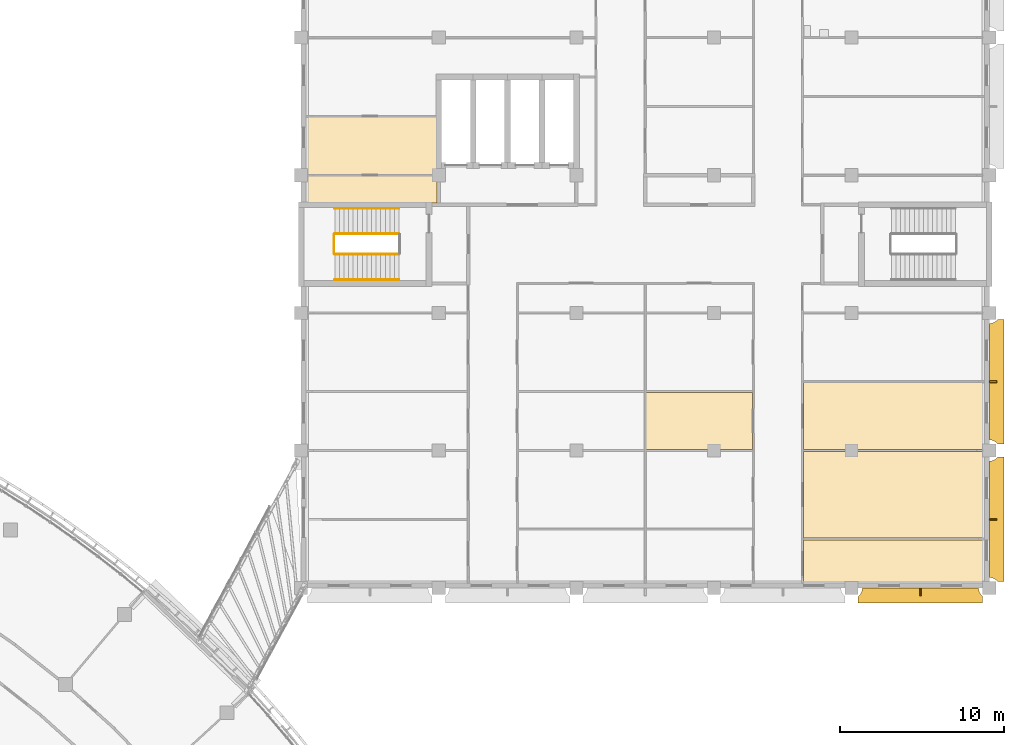
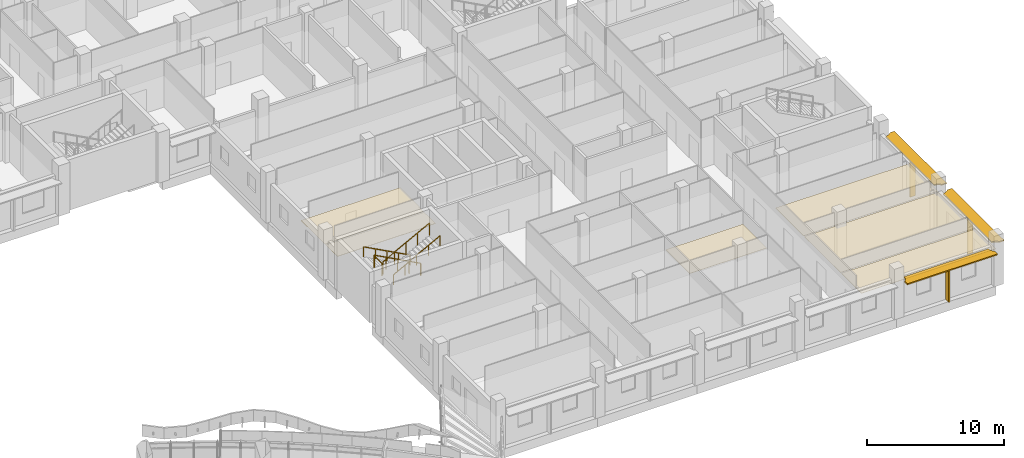
# One storey, part 128 of 136: 6 coverings, 6 shading devices, 5 railings.
"""IFC4 building model written with IfcOpenShell, lengths in metres."""

from ifc_helpers import new_model, si_unit, direction, frame, origin, origin_2d, place, context, subcontext, project, spatial, polyline, rectangle, circle, outline, extrude, material, layer, layer_set, material_profile, profile_set, type_object, element, save


model = new_model("IFC4")

# Units and contexts
model_context = context("Model", 3, precision=1e-05, world=origin(), true_north=direction((0.0, 1.0)))
body_context = subcontext(model_context, "Body", "Model", "MODEL_VIEW")
ifc_project = project(units=[si_unit("LENGTHUNIT", "METRE"), si_unit("AREAUNIT", "SQUARE_METRE"), si_unit("VOLUMEUNIT", "CUBIC_METRE"), si_unit("PLANEANGLEUNIT", "RADIAN"), si_unit("MASSUNIT", "GRAM", prefix="KILO")], contexts=[model_context])

# Site, building, storey
site_placement = place(None, origin())
site = spatial("IfcSite", under=ifc_project, at=site_placement, CompositionType="ELEMENT")
building_placement = place(site_placement, origin())
building = spatial("IfcBuilding", under=site, at=building_placement, Name="Bougainvillea Quay General Hospital", CompositionType="ELEMENT")
storey_placement = place(building_placement, frame((0.0, 0.0, 5.39990234375)))
storey = spatial("IfcBuildingStorey", under=building, at=storey_placement, Name="L01", CompositionType="ELEMENT", Elevation=5.39990234375)

# Railings
ifc_material_1 = material(Name="Stainless steel 304 balustrade", Category="steel")
railing_type_1 = type_object("IfcRailingType", Name="Stair guard 1100", PredefinedType="GUARDRAIL", material=ifc_material_1)
railing_1_placement = place(storey_placement, frame((169.77490234375, 97.22509765625, 0.150146484375)))
element("IfcRailing", 1, at=railing_1_placement, inside=storey, type_object=railing_type_1, Name="L01 ST-T1 stair guard 1", PredefinedType="GUARDRAIL", context=body_context, shape_type="SweptSolid", body=[
    extrude(circle(Radius=0.02392578125, at=origin_2d()), frame((0.0, 0.0, 1.076171875), z_axis=(-0.881489763865, 0.0, 0.472203130232), x_axis=(0.0, -1.0, 0.0)), (0.0, 0.0, 1.0), 4.447021484375),
    extrude(circle(Radius=0.02099609375, at=origin_2d()), origin(), (0.0, 0.0, 1.0), 1.052001953125),
    extrude(circle(Radius=0.02099609375, at=origin_2d()), frame((-0.97998046875, 0.0, 0.52490234375)), (0.0, 0.0, 1.0), 1.052001953125),
    extrude(circle(Radius=0.02099609375, at=origin_2d()), frame((-1.9599609375, 0.0, 1.0498046875)), (0.0, 0.0, 1.0), 1.052001953125),
    extrude(circle(Radius=0.02099609375, at=origin_2d()), frame((-2.93994140625, 0.0, 1.574951171875)), (0.0, 0.0, 1.0), 1.052001953125),
    extrude(circle(Radius=0.02099609375, at=origin_2d()), frame((-3.919921875, 0.0, 2.099853515625)), (0.0, 0.0, 1.0), 1.052001953125),
])
railing_2_placement = place(storey_placement, frame((165.804931640625, 97.175048828125, 2.25)))
element("IfcRailing", 2, at=railing_2_placement, inside=storey, type_object=railing_type_1, Name="L01 ST-T1 stair guard 2", PredefinedType="GUARDRAIL", context=body_context, shape_type="SweptSolid", body=[
    extrude(circle(Radius=0.02392578125, at=origin_2d()), frame((0.0, 0.0, 1.076171875), z_axis=(0.0, -1.0, 0.0), x_axis=(1.0, 0.0, 0.0)), (0.0, 0.0, 1.0), 1.150146484375),
    extrude(circle(Radius=0.02099609375, at=origin_2d()), origin(), (0.0, 0.0, 1.0), 1.052001953125),
    extrude(circle(Radius=0.02099609375, at=origin_2d()), frame((0.0, -1.150146484375, 0.0)), (0.0, 0.0, 1.0), 1.052001953125),
])
railing_3_placement = place(storey_placement, frame((165.85498046875, 95.97509765625, 2.400146484375)))
element("IfcRailing", 3, at=railing_3_placement, inside=storey, type_object=railing_type_1, Name="L01 ST-T1 stair guard 3", PredefinedType="GUARDRAIL", context=body_context, shape_type="SweptSolid", body=[
    extrude(circle(Radius=0.02392578125, at=origin_2d()), frame((0.0, 0.0, 1.076171875), z_axis=(0.881489763865, 0.0, 0.472203130232), x_axis=(0.0, 1.0, 0.0)), (0.0, 0.0, 1.0), 4.447021484375),
    extrude(circle(Radius=0.02099609375, at=origin_2d()), origin(), (0.0, 0.0, 1.0), 1.052001953125),
    extrude(circle(Radius=0.02099609375, at=origin_2d()), frame((0.97998046875, 0.0, 0.52490234375)), (0.0, 0.0, 1.0), 1.052001953125),
    extrude(circle(Radius=0.02099609375, at=origin_2d()), frame((1.9599609375, 0.0, 1.0498046875)), (0.0, 0.0, 1.0), 1.052001953125),
    extrude(circle(Radius=0.02099609375, at=origin_2d()), frame((2.93994140625, 0.0, 1.574951171875)), (0.0, 0.0, 1.0), 1.052001953125),
    extrude(circle(Radius=0.02099609375, at=origin_2d()), frame((3.919921875, 0.0, 2.099853515625)), (0.0, 0.0, 1.0), 1.052001953125),
])
ifc_material_2 = material(Name="Stainless steel 304 handrail", Category="steel")
railing_type_2 = type_object("IfcRailingType", Name="Stair handrail 900", PredefinedType="HANDRAIL", material=ifc_material_2)
railing_4_placement = place(storey_placement, frame((169.77490234375, 98.77490234375, 0.150146484375)))
element("IfcRailing", 4, at=railing_4_placement, inside=storey, type_object=railing_type_2, Name="L01 ST-T1 stair handrail 1", PredefinedType="HANDRAIL", context=body_context, shape_type="SweptSolid", body=[
    extrude(circle(Radius=0.02392578125, at=origin_2d()), frame((0.0, 0.0, 0.8759765625), z_axis=(-0.881489763865, 0.0, 0.472203130232), x_axis=(0.0, -1.0, 0.0)), (0.0, 0.0, 1.0), 4.447021484375),
    extrude(circle(Radius=0.02099609375, at=origin_2d()), origin(), (0.0, 0.0, 1.0), 0.851806640625),
    extrude(circle(Radius=0.02099609375, at=origin_2d()), frame((-0.97998046875, 0.0, 0.52490234375)), (0.0, 0.0, 1.0), 0.851806640625),
    extrude(circle(Radius=0.02099609375, at=origin_2d()), frame((-1.9599609375, 0.0, 1.0498046875)), (0.0, 0.0, 1.0), 0.851806640625),
    extrude(circle(Radius=0.02099609375, at=origin_2d()), frame((-2.93994140625, 0.0, 1.574951171875)), (0.0, 0.0, 1.0), 0.851806640625),
    extrude(circle(Radius=0.02099609375, at=origin_2d()), frame((-3.919921875, 0.0, 2.099853515625)), (0.0, 0.0, 1.0), 0.851806640625),
])
railing_5_placement = place(storey_placement, frame((165.85498046875, 94.425048828125, 2.400146484375)))
element("IfcRailing", 5, at=railing_5_placement, inside=storey, type_object=railing_type_2, Name="L01 ST-T1 stair handrail 2", PredefinedType="HANDRAIL", context=body_context, shape_type="SweptSolid", body=[
    extrude(circle(Radius=0.02392578125, at=origin_2d()), frame((0.0, 0.0, 0.8759765625), z_axis=(0.881489763865, 0.0, 0.472203130232), x_axis=(0.0, 1.0, 0.0)), (0.0, 0.0, 1.0), 4.447021484375),
    extrude(circle(Radius=0.02099609375, at=origin_2d()), origin(), (0.0, 0.0, 1.0), 0.851806640625),
    extrude(circle(Radius=0.02099609375, at=origin_2d()), frame((0.97998046875, 0.0, 0.52490234375)), (0.0, 0.0, 1.0), 0.851806640625),
    extrude(circle(Radius=0.02099609375, at=origin_2d()), frame((1.9599609375, 0.0, 1.0498046875)), (0.0, 0.0, 1.0), 0.851806640625),
    extrude(circle(Radius=0.02099609375, at=origin_2d()), frame((2.93994140625, 0.0, 1.574951171875)), (0.0, 0.0, 1.0), 0.851806640625),
    extrude(circle(Radius=0.02099609375, at=origin_2d()), frame((3.919921875, 0.0, 2.099853515625)), (0.0, 0.0, 1.0), 0.851806640625),
])

# Shading devices
ifc_material_3 = material(Name="Powder-coated aluminium canopy soffit and fascia, white", Category="aluminium")
ifc_layer_1 = layer(ifc_material_3, 0.10009765625)
ifc_layer_set_1 = layer_set([ifc_layer_1], Name="Powder-coated aluminium canopy soffit and fascia, white")
shading_device_type_1 = type_object("IfcShadingDeviceType", Name="Sunshade 100", PredefinedType="USERDEFINED", material=ifc_layer_set_1)
shading_device_1_placement = place(storey_placement, frame((0.0, 0.0, 3.150146484375)))
element("IfcShadingDevice", 6, at=shading_device_1_placement, inside=storey, type_object=shading_device_type_1, Name="Sunshade 0", ObjectType="Sunshade", PredefinedType="USERDEFINED", context=body_context, shape_type="SweptSolid", body=[
    extrude(outline(polyline([(205.14990234375, 75.60009765625), (198.050048828125, 75.60009765625), (198.03759765625, 75.47314453125), (198.00048828125, 75.351318359375), (197.97314453125, 75.293701171875), (197.90234375, 75.187744140625), (197.800048828125, 75.08837890625), (197.800048828125, 74.699951171875), (205.39990234375, 74.699951171875), (205.39990234375, 75.08837890625), (205.297607421875, 75.187744140625), (205.226806640625, 75.293701171875), (205.199462890625, 75.351318359375), (205.16259765625, 75.47314453125), (205.14990234375, 75.60009765625)])), origin(), (0.0, 0.0, 1.0), 0.099853515625),
])
shading_device_2_placement = place(storey_placement, frame((0.0, 0.0, 3.150146484375)))
element("IfcShadingDevice", 7, at=shading_device_2_placement, inside=storey, type_object=shading_device_type_1, Name="Sunshade 0", ObjectType="Sunshade", PredefinedType="USERDEFINED", context=body_context, shape_type="SweptSolid", body=[
    extrude(outline(polyline([(205.800048828125, 83.35009765625), (205.800048828125, 76.25), (205.9267578125, 76.237548828125), (205.98876953125, 76.221923828125), (206.1064453125, 76.17333984375), (206.21240234375, 76.1025390625), (206.3115234375, 76.0), (206.699951171875, 76.0), (206.699951171875, 83.60009765625), (206.3115234375, 83.60009765625), (206.21240234375, 83.49755859375), (206.1064453125, 83.4267578125), (205.98876953125, 83.3779296875), (205.9267578125, 83.362548828125), (205.800048828125, 83.35009765625)])), origin(), (0.0, 0.0, 1.0), 0.099853515625),
])
shading_device_3_placement = place(storey_placement, frame((0.0, 0.0, 3.150146484375)))
element("IfcShadingDevice", 8, at=shading_device_3_placement, inside=storey, type_object=shading_device_type_1, Name="Sunshade 0", ObjectType="Sunshade", PredefinedType="USERDEFINED", context=body_context, shape_type="SweptSolid", body=[
    extrude(outline(polyline([(205.800048828125, 91.75), (205.800048828125, 84.64990234375), (205.9267578125, 84.637451171875), (205.98876953125, 84.6220703125), (206.1064453125, 84.5732421875), (206.21240234375, 84.50244140625), (206.3115234375, 84.39990234375), (206.699951171875, 84.39990234375), (206.699951171875, 92.0), (206.3115234375, 92.0), (206.21240234375, 91.8974609375), (206.1064453125, 91.82666015625), (205.98876953125, 91.778076171875), (205.9267578125, 91.762451171875), (205.800048828125, 91.75)])), origin(), (0.0, 0.0, 1.0), 0.099853515625),
])

# Coverings
ifc_material_4 = material(Name="Mineral fibre ceiling tile")
ifc_layer_2 = layer(ifc_material_4, 0.030029296875)
ifc_layer_set_2 = layer_set([ifc_layer_2], Name="Mineral fibre ceiling tile")
covering_type = type_object("IfcCoveringType", Name="Suspended ceiling mineral fibre tile", PredefinedType="CEILING", material=ifc_layer_set_2)
covering_1_placement = place(storey_placement, frame((0.0, 0.0, 3.0)))
element("IfcCovering", 9, at=covering_1_placement, inside=storey, type_object=covering_type, Name="Ceiling Operating Theatre 12", PredefinedType="CEILING", context=body_context, shape_type="SweptSolid", body=[
    extrude(outline(polyline([(191.35009765625, 87.550048828125), (184.85009765625, 87.550048828125), (184.85009765625, 84.050048828125), (191.35009765625, 84.050048828125), (191.35009765625, 87.550048828125)])), origin(), (0.0, 0.0, 1.0), 0.030029296875),
])
covering_2_placement = place(storey_placement, frame((0.0, 0.0, 3.0)))
element("IfcCovering", 10, at=covering_2_placement, inside=storey, type_object=covering_type, Name="Ceiling Operating Theatre 15", PredefinedType="CEILING", context=body_context, shape_type="SweptSolid", body=[
    extrude(outline(polyline([(205.800048828125, 88.14990234375), (194.449951171875, 88.14990234375), (194.449951171875, 84.050048828125), (205.800048828125, 84.050048828125), (205.800048828125, 88.14990234375)])), origin(), (0.0, 0.0, 1.0), 0.030029296875),
])
covering_3_placement = place(storey_placement, frame((0.0, 0.0, 3.0)))
element("IfcCovering", 11, at=covering_3_placement, inside=storey, type_object=covering_type, Name="Ceiling Operating Theatre 16", PredefinedType="CEILING", context=body_context, shape_type="SweptSolid", body=[
    extrude(outline(polyline([(205.800048828125, 83.949951171875), (194.449951171875, 83.949951171875), (194.449951171875, 78.64990234375), (205.800048828125, 78.64990234375), (205.800048828125, 83.949951171875)])), origin(), (0.0, 0.0, 1.0), 0.030029296875),
])
covering_4_placement = place(storey_placement, frame((0.0, 0.0, 3.0)))
element("IfcCovering", 12, at=covering_4_placement, inside=storey, type_object=covering_type, Name="Ceiling Operating Theatre 17", PredefinedType="CEILING", context=body_context, shape_type="SweptSolid", body=[
    extrude(outline(polyline([(205.800048828125, 78.550048828125), (194.449951171875, 78.550048828125), (194.449951171875, 75.60009765625), (205.800048828125, 75.60009765625), (205.800048828125, 78.550048828125)])), origin(), (0.0, 0.0, 1.0), 0.030029296875),
])
covering_5_placement = place(storey_placement, frame((0.0, 0.0, 2.800048828125)))
element("IfcCovering", 13, at=covering_5_placement, inside=storey, type_object=covering_type, Name="Ceiling Anaesthetic Room 01", PredefinedType="CEILING", context=body_context, shape_type="SweptSolid", body=[
    extrude(outline(polyline([(163.800048828125, 99.050048828125), (171.5, 99.050048828125), (171.5, 99.10009765625), (172.10009765625, 99.10009765625), (172.10009765625, 100.75), (163.800048828125, 100.75), (163.800048828125, 99.050048828125)])), origin(), (0.0, 0.0, 1.0), 0.030029296875),
])
covering_6_placement = place(storey_placement, frame((0.0, 0.0, 2.800048828125)))
element("IfcCovering", 14, at=covering_6_placement, inside=storey, type_object=covering_type, Name="Ceiling Anaesthetic Room 02", PredefinedType="CEILING", context=body_context, shape_type="SweptSolid", body=[
    extrude(outline(polyline([(163.800048828125, 100.85009765625), (172.10009765625, 100.85009765625), (172.10009765625, 101.5), (172.14990234375, 101.5), (172.14990234375, 104.347900390625), (163.800048828125, 104.347900390625), (163.800048828125, 100.85009765625)])), origin(), (0.0, 0.0, 1.0), 0.030029296875),
])

# Shading devices
ifc_material_5 = material(Name="Powder-coated aluminium fin, white", Category="aluminium")
ifc_material_profile = material_profile(ifc_material_5, rectangle(XDim=0.449951171875, YDim=0.10009765625, at=origin_2d()))
ifc_profile_set = profile_set([ifc_material_profile], Name="Powder-coated aluminium fin, white")
shading_device_type_2 = type_object("IfcShadingDeviceType", Name="Vertical fin 450x100", PredefinedType="USERDEFINED", material=ifc_profile_set)
for number, where, z_axis, x_axis, name in (
    (15, (201.60009765625, 75.375, 0.0), (0.0, 0.0, 1.0), (0.0, -1.0, 0.0), "Vertical fin 01e 1"),
    (16, (206.02490234375, 79.800048828125, 0.0), (0.0, 0.0, 1.0), (1.0, 0.0, 0.0), "Vertical fin 02a 1"),
    (17, (206.02490234375, 88.199951171875, 0.0), (0.0, 0.0, 1.0), (1.0, 0.0, 0.0), "Vertical fin 02b 1"),
):
    element("IfcShadingDevice", number, at=place(storey_placement, frame(where, z_axis=z_axis, x_axis=x_axis)), inside=storey, type_object=shading_device_type_2, Name=name, ObjectType="Vertical fin", PredefinedType="USERDEFINED", context=body_context, shape_type="SweptSolid", body=[
        extrude(rectangle(XDim=0.449951171875, YDim=0.10009765625, at=origin_2d()), origin(), (0.0, 0.0, 1.0), 3.150146484375),
    ])

save(model, "model.ifc")
